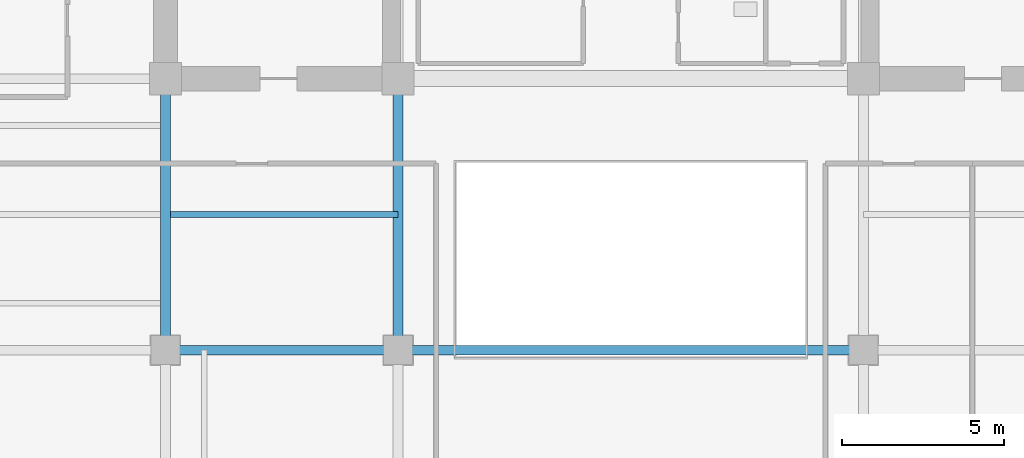
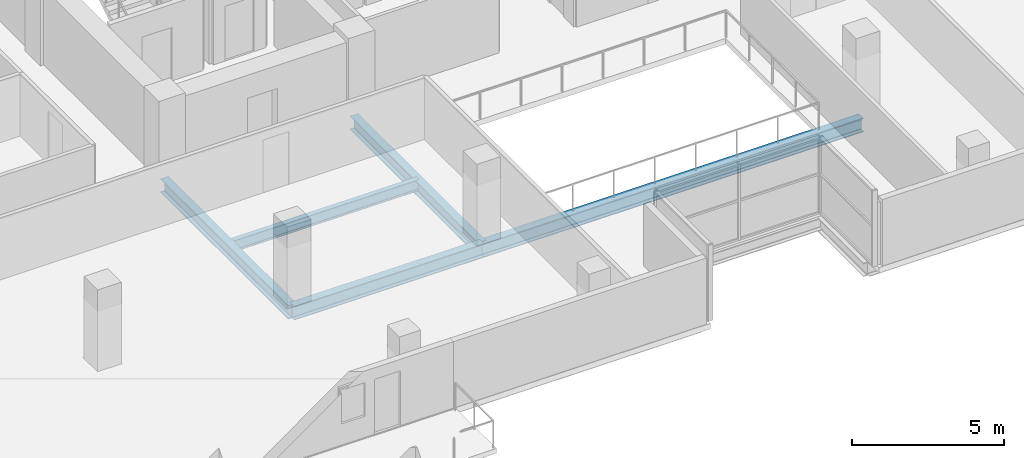
# One storey, part 5 of 28: 5 beams.
"""IFC4 building model written with IfcOpenShell, lengths in metres."""

from ifc_helpers import new_model, si_unit, direction, frame, origin, origin_2d, place, context, subcontext, project, spatial, i_section, extrude, material, material_profile, profile_set, type_object, element, save


model = new_model("IFC4")

# Units and contexts
model_context = context("Model", 3, precision=1e-05, world=origin(), true_north=direction((0.0, 1.0)))
body_context = subcontext(model_context, "Body", "Model", "MODEL_VIEW")
ifc_project = project(units=[si_unit("LENGTHUNIT", "METRE"), si_unit("AREAUNIT", "SQUARE_METRE"), si_unit("VOLUMEUNIT", "CUBIC_METRE"), si_unit("PLANEANGLEUNIT", "RADIAN"), si_unit("MASSUNIT", "GRAM", prefix="KILO")], contexts=[model_context])

# Site, building, storey
site_placement = place(None, origin())
site = spatial("IfcSite", under=ifc_project, at=site_placement, CompositionType="ELEMENT")
building_placement = place(site_placement, origin())
building = spatial("IfcBuilding", under=site, at=building_placement, Name="Zarnakvel Exchange Tower", CompositionType="ELEMENT")
storey_placement = place(building_placement, frame((0.0, 0.0, 103.300048828125)))
storey = spatial("IfcBuildingStorey", under=building, at=storey_placement, Name="L28", CompositionType="ELEMENT", Elevation=103.300048828125)

# Beams
ifc_material = material(Name="Steel S355", Category="steel")
ifc_material_profile_1 = material_profile(ifc_material, i_section(OverallWidth=0.18994140625, OverallDepth=0.449951171875, WebThickness=0.009521484375, FlangeThickness=0.0146484375, FilletRadius=0.02099609375, at=origin_2d()))
ifc_profile_set_1 = profile_set([ifc_material_profile_1], Name="Steel S355")
beam_type_1 = type_object("IfcBeamType", Name="B-05", PredefinedType="JOIST", material=ifc_profile_set_1)
beam_1_placement = place(storey_placement, frame((-14.25, -5.39990234375, -0.449951171875), z_axis=(1.0, 0.0, 0.0), x_axis=(0.0, 1.0, 0.0)))
element("IfcBeam", 1, at=beam_1_placement, inside=storey, type_object=beam_type_1, Name="L28 Composite Floor Secondary Joist", PredefinedType="JOIST", context=body_context, shape_type="SweptSolid", body=[
    extrude(i_section(OverallWidth=0.18994140625, OverallDepth=0.449951171875, WebThickness=0.009521484375, FlangeThickness=0.0146484375, FilletRadius=0.02099609375, at=origin_2d()), origin(), (0.0, 0.0, 1.0), 7.050048828125),
])
ifc_material_profile_2 = material_profile(ifc_material, i_section(OverallWidth=0.300048828125, OverallDepth=0.550048828125, WebThickness=0.014892578125, FlangeThickness=0.029052734375, FilletRadius=0.027099609375, at=origin_2d()))
ifc_profile_set_2 = profile_set([ifc_material_profile_2], Name="Steel S355")
beam_type_2 = type_object("IfcBeamType", Name="G-05", PredefinedType="BEAM", material=ifc_profile_set_2)
beam_2_placement = place(storey_placement, frame((-14.39990234375, -9.60009765625, -0.5), z_axis=(1.0, 0.0, 0.0), x_axis=(0.0, 1.0, 0.0)))
element("IfcBeam", 2, at=beam_2_placement, inside=storey, type_object=beam_type_2, Name="L28 Tower E-W Frame Beam", PredefinedType="BEAM", context=body_context, shape_type="SweptSolid", body=[
    extrude(i_section(OverallWidth=0.300048828125, OverallDepth=0.550048828125, WebThickness=0.014892578125, FlangeThickness=0.029052734375, FilletRadius=0.027099609375, at=origin_2d()), origin(), (0.0, 0.0, 1.0), 7.199951171875),
])
beam_3_placement = place(storey_placement, frame((-7.199951171875, -9.60009765625, -0.5), z_axis=(1.0, 0.0, 0.0), x_axis=(0.0, 1.0, 0.0)))
element("IfcBeam", 3, at=beam_3_placement, inside=storey, type_object=beam_type_2, Name="L28 Tower E-W Frame Beam", PredefinedType="BEAM", context=body_context, shape_type="SweptSolid", body=[
    extrude(i_section(OverallWidth=0.300048828125, OverallDepth=0.550048828125, WebThickness=0.014892578125, FlangeThickness=0.029052734375, FilletRadius=0.027099609375, at=origin_2d()), origin(), (0.0, 0.0, 1.0), 14.39990234375),
])
for number, where, z_axis, x_axis, name in (
    (4, (-14.39990234375, -9.60009765625, -0.5), (0.0, 1.0, 0.0), (-1.0, 0.0, 0.0), "L28 Tower N-S Frame Beam"),
    (5, (-7.199951171875, -9.60009765625, -0.5), (0.0, 1.0, 0.0), (-1.0, 0.0, 0.0), "L28 Tower N-S Frame Beam"),
):
    element("IfcBeam", number, at=place(storey_placement, frame(where, z_axis=z_axis, x_axis=x_axis)), inside=storey, type_object=beam_type_2, Name=name, PredefinedType="BEAM", context=body_context, shape_type="SweptSolid", body=[
        extrude(i_section(OverallWidth=0.300048828125, OverallDepth=0.550048828125, WebThickness=0.014892578125, FlangeThickness=0.029052734375, FilletRadius=0.027099609375, at=origin_2d()), origin(), (0.0, 0.0, 1.0), 8.400146484375),
    ])

save(model, "model.ifc")
